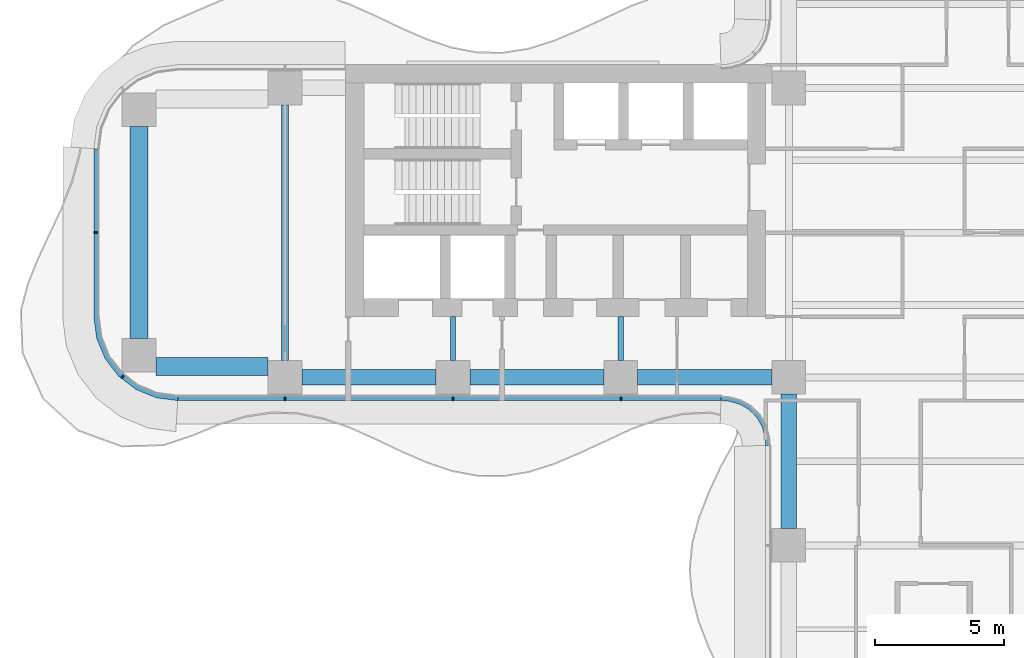
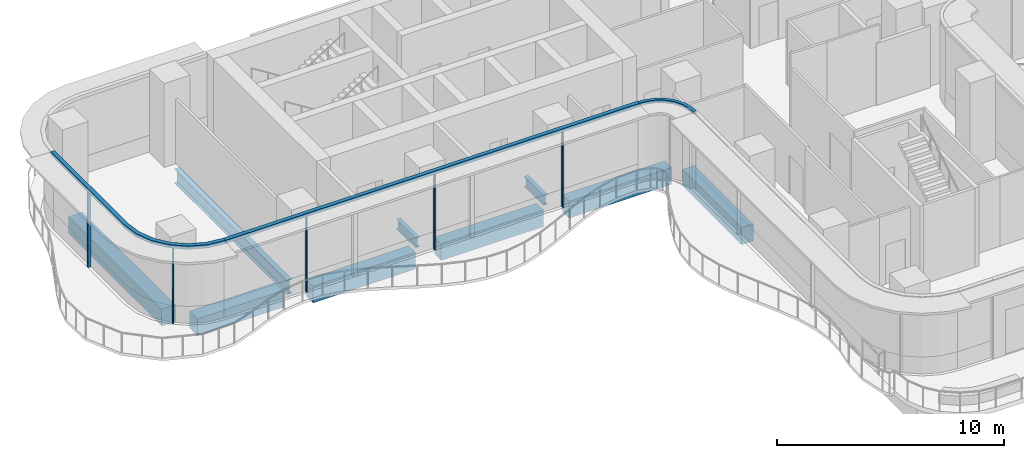
# One storey, part 3 of 22: 9 beams, 8 members, 3 elements without a shape of their own.
"""IFC4 building model written with IfcOpenShell, lengths in metres."""

from ifc_helpers import new_model, si_unit, direction, frame, origin, origin_2d, place, context, subcontext, project, spatial, polyline, rectangle, i_section, outline, extrude, source, transform, mapped, material, layer, layer_set, material_profile, profile_set, type_object, element, aggregate, save


model = new_model("IFC4")

# Units and contexts
model_context = context("Model", 3, precision=1e-05, world=origin(), true_north=direction((0.0, 1.0)))
body_context = subcontext(model_context, "Body", "Model", "MODEL_VIEW")
ifc_project = project(units=[si_unit("LENGTHUNIT", "METRE"), si_unit("AREAUNIT", "SQUARE_METRE"), si_unit("VOLUMEUNIT", "CUBIC_METRE"), si_unit("PLANEANGLEUNIT", "RADIAN"), si_unit("MASSUNIT", "GRAM", prefix="KILO")], contexts=[model_context])

# Site, building, storey
site_placement = place(None, origin())
site = spatial("IfcSite", under=ifc_project, at=site_placement, CompositionType="ELEMENT")
building_placement = place(site_placement, origin())
building = spatial("IfcBuilding", under=site, at=building_placement, Name="Trellis Farm Tower", CompositionType="ELEMENT")
storey_placement = place(building_placement, frame((0.0, 0.0, 124.5)))
storey = spatial("IfcBuildingStorey", under=building, at=storey_placement, Name="L26", CompositionType="ELEMENT", Elevation=124.5)

# Beams
ifc_material_1 = material(Name="Steel S355", Category="steel")
ifc_material_profile_1 = material_profile(ifc_material_1, i_section(OverallWidth=0.2666015625, OverallDepth=0.76220703125, WebThickness=0.014404296875, FlangeThickness=0.021484375, FilletRadius=0.0166015625, at=origin_2d()), Name="UB 762x267x173")
ifc_profile_set_1 = profile_set([ifc_material_profile_1], Name="Steel S355")
beam_type_1 = type_object("IfcBeamType", Name="UB 762x267x173", PredefinedType="BEAM", material=ifc_profile_set_1)
shared_shape_1 = source(origin(), body_context, "Body", "SweptSolid", [
    extrude(i_section(OverallWidth=0.2666015625, OverallDepth=0.76220703125, WebThickness=0.014404296875, FlangeThickness=0.021484375, FilletRadius=0.0166015625, at=origin_2d()), origin(), (0.0, 0.0, 1.0), 9.89990234375),
])
beam_1_placement = place(storey_placement, frame((-25.10009765625, -4.949951171875, -0.631103515625), z_axis=(0.0, 1.0, 0.0), x_axis=(-1.0, 0.0, 0.0)))
element("IfcBeam", 1, at=beam_1_placement, inside=storey, type_object=beam_type_1, Name="Girder", PredefinedType="BEAM", context=body_context, shape_type="MappedRepresentation", body=[
    mapped(shared_shape_1, transform((0.0, 0.0, 0.0))),
])
ifc_material_profile_2 = material_profile(ifc_material_1, i_section(OverallWidth=0.209228515625, OverallDepth=0.533203125, WebThickness=0.010009765625, FlangeThickness=0.015625, FilletRadius=0.0126953125, at=origin_2d()), Name="UB 533x210x92")
ifc_profile_set_2 = profile_set([ifc_material_profile_2], Name="Steel S355")
beam_type_2 = type_object("IfcBeamType", Name="UB 533x210x92", PredefinedType="BEAM", material=ifc_profile_set_2)
shared_shape_2 = source(origin(), body_context, "Body", "SweptSolid", [
    extrude(i_section(OverallWidth=0.209228515625, OverallDepth=0.533203125, WebThickness=0.010009765625, FlangeThickness=0.015625, FilletRadius=0.0126953125, at=origin_2d()), origin(), (0.0, 0.0, 1.0), 1.699951171875),
])
for number, where, z_axis, x_axis, name in (
    (2, (-18.60009765625, -4.949951171875, -0.5166015625), (0.0, 1.0, 0.0), (-1.0, 0.0, 0.0), "Girder"),
    (3, (-12.10009765625, -4.949951171875, -0.5166015625), (0.0, 1.0, 0.0), (-1.0, 0.0, 0.0), "Girder"),
):
    element("IfcBeam", number, at=place(storey_placement, frame(where, z_axis=z_axis, x_axis=x_axis)), inside=storey, type_object=beam_type_2, Name=name, PredefinedType="BEAM", context=body_context, shape_type="MappedRepresentation", body=[
        mapped(shared_shape_2, transform((0.0, 0.0, 0.0))),
    ])
ifc_material_2 = material(Name="Concrete C60/75", Category="concrete")
ifc_material_profile_3 = material_profile(ifc_material_2, rectangle(XDim=0.60009765625, YDim=0.89990234375, at=origin_2d()), Name="RC spandrel beam 600x900 C60/75")
ifc_profile_set_3 = profile_set([ifc_material_profile_3], Name="Concrete C60/75")
beam_type_3 = type_object("IfcBeamType", Name="RC spandrel beam 600x900 C60/75", PredefinedType="SPANDREL", material=ifc_profile_set_3)
shared_shape_3 = source(origin(), body_context, "Body", "SweptSolid", [
    extrude(rectangle(XDim=0.60009765625, YDim=0.89990234375, at=origin_2d()), origin(), (0.0, 0.0, 1.0), 5.199951171875),
])
for number, where, z_axis, x_axis, name in (
    (4, (-24.449951171875, -5.60009765625, -0.699951171875), (1.0, 0.0, 0.0), (0.0, 1.0, 0.0), "Girder"),
    (5, (-17.949951171875, -5.60009765625, -0.699951171875), (1.0, 0.0, 0.0), (0.0, 1.0, 0.0), "Girder"),
    (6, (-11.449951171875, -5.60009765625, -0.699951171875), (1.0, 0.0, 0.0), (0.0, 1.0, 0.0), "Girder"),
    (7, (-5.60009765625, -11.449951171875, -0.699951171875), (0.0, 1.0, 0.0), (-1.0, 0.0, 0.0), "Girder"),
):
    element("IfcBeam", number, at=place(storey_placement, frame(where, z_axis=z_axis, x_axis=x_axis)), inside=storey, type_object=beam_type_3, Name=name, PredefinedType="SPANDREL", context=body_context, shape_type="MappedRepresentation", body=[
        mapped(shared_shape_3, transform((0.0, 0.0, 0.0))),
    ])
ifc_material_profile_4 = material_profile(ifc_material_2, rectangle(XDim=0.699951171875, YDim=0.89990234375, at=origin_2d()), Name="RC spandrel beam 700x900 C60/75")
ifc_profile_set_4 = profile_set([ifc_material_profile_4], Name="Concrete C60/75")
beam_type_4 = type_object("IfcBeamType", Name="RC spandrel beam 700x900 C60/75", PredefinedType="SPANDREL", material=ifc_profile_set_4)
shared_shape_4 = source(origin(), body_context, "Body", "SweptSolid", [
    extrude(rectangle(XDim=0.699951171875, YDim=0.89990234375, at=origin_2d()), origin(), (0.0, 0.0, 1.0), 4.35009765625),
])
beam_2_placement = place(storey_placement, frame((-30.10009765625, -5.175048828125, -0.699951171875), z_axis=(1.0, 0.0, 0.0), x_axis=(0.0, 1.0, 0.0)))
element("IfcBeam", 8, at=beam_2_placement, inside=storey, type_object=beam_type_4, Name="Girder", PredefinedType="SPANDREL", context=body_context, shape_type="MappedRepresentation", body=[
    mapped(shared_shape_4, transform((0.0, 0.0, 0.0))),
])
shared_shape_5 = source(origin(), body_context, "Body", "SweptSolid", [
    extrude(rectangle(XDim=0.699951171875, YDim=0.89990234375, at=origin_2d()), origin(), (0.0, 0.0, 1.0), 8.2001953125),
])
beam_3_placement = place(storey_placement, frame((-30.75, -4.10009765625, -0.699951171875), z_axis=(0.0, 1.0, 0.0), x_axis=(-1.0, 0.0, 0.0)))
element("IfcBeam", 9, at=beam_3_placement, inside=storey, type_object=beam_type_4, Name="Girder", PredefinedType="SPANDREL", context=body_context, shape_type="MappedRepresentation", body=[
    mapped(shared_shape_5, transform((0.0, 0.0, 0.0))),
])

# Curtain wall, members
ifc_material_3 = material(Name="Aluminium and glass curtain wall", Category="aluminium")
ifc_layer_1 = layer(ifc_material_3, 0.18994140625)
ifc_layer_set_1 = layer_set([ifc_layer_1], Name="RIBBON CURTAIN WALL CW1")
curtain_wall_type_1 = type_object("IfcCurtainWallType", Name="RIBBON CURTAIN WALL CW1", PredefinedType="NOTDEFINED", material=ifc_layer_set_1)
placement_1 = place(storey_placement, origin())
curtain_wall_1 = element("IfcCurtainWall", 10, at=placement_1, inside=storey, type_object=curtain_wall_type_1, Name="CW1 001", PredefinedType="NOTDEFINED")
ifc_material_4 = material(Name="Aluminium extrusion 6063-T6", Category="aluminium")
ifc_material_profile_5 = material_profile(ifc_material_4, rectangle(XDim=0.06005859375, YDim=0.14990234375, at=origin_2d()), Name="MULLION 60x150")
ifc_profile_set_5 = profile_set([ifc_material_profile_5], Name="Aluminium extrusion 6063-T6")
member_type_1 = type_object("IfcMemberType", Name="CW1 MULLION 60x150", PredefinedType="MULLION", material=ifc_profile_set_5)
shared_shape_6 = source(origin(), body_context, "Body", "SweptSolid", [
    extrude(rectangle(XDim=0.06005859375, YDim=0.14990234375, at=origin_2d()), origin(), (0.0, 0.0, 1.0), 4.070068359375),
])
member_1_placement = place(storey_placement, frame((-25.10009765625, -6.425048828125, 0.0), z_axis=(0.0, 0.0, 1.0), x_axis=(1.0, 0.0, 0.0)))
member_1 = element("IfcMember", 11, at=member_1_placement, type_object=member_type_1, Name="MU1 001-01", PredefinedType="MULLION", context=body_context, shape_type="MappedRepresentation", body=[
    mapped(shared_shape_6, transform((0.0, 0.0, 0.0))),
])
member_2_placement = place(storey_placement, frame((-18.60009765625, -6.425048828125, 0.0), z_axis=(0.0, 0.0, 1.0), x_axis=(1.0, 0.0, 0.0)))
member_2 = element("IfcMember", 12, at=member_2_placement, type_object=member_type_1, Name="MU1 001-02", PredefinedType="MULLION", context=body_context, shape_type="MappedRepresentation", body=[
    mapped(shared_shape_6, transform((0.0, 0.0, 0.0))),
])
member_3_placement = place(storey_placement, frame((-12.10009765625, -6.425048828125, 0.0), z_axis=(0.0, 0.0, 1.0), x_axis=(1.0, 0.0, 0.0)))
member_3 = element("IfcMember", 13, at=member_3_placement, type_object=member_type_1, Name="MU1 001-03", PredefinedType="MULLION", context=body_context, shape_type="MappedRepresentation", body=[
    mapped(shared_shape_6, transform((0.0, 0.0, 0.0))),
])

curtain_wall_2 = element("IfcCurtainWall", 14, at=placement_1, inside=storey, type_object=curtain_wall_type_1, Name="CW1 014", PredefinedType="NOTDEFINED")
member_4_placement = place(storey_placement, frame((-32.425048828125, 0.0, 0.0), z_axis=(0.0, 0.0, 1.0), x_axis=(0.0, -1.0, 0.0)))
member_4 = element("IfcMember", 15, at=member_4_placement, type_object=member_type_1, Name="MU1 014-01", PredefinedType="MULLION", context=body_context, shape_type="MappedRepresentation", body=[
    mapped(shared_shape_6, transform((0.0, 0.0, 0.0))),
])
member_5_placement = place(storey_placement, frame((-31.385498046875, -5.578369140625, 0.0), z_axis=(0.0, 0.0, 1.0), x_axis=(0.793353340291, -0.608761429009, 0.0)))
member_5 = element("IfcMember", 16, at=member_5_placement, type_object=member_type_1, Name="MU1 014-02", PredefinedType="MULLION", context=body_context, shape_type="MappedRepresentation", body=[
    mapped(shared_shape_6, transform((0.0, 0.0, 0.0))),
])

# Member
ifc_layer_2 = layer(ifc_material_4, 0.199951171875)
ifc_layer_set_2 = layer_set([ifc_layer_2], Name="Aluminium extrusion 6063-T6")
member_type_2 = type_object("IfcMemberType", Name="CW1 TRANSOM 200x180", PredefinedType="USERDEFINED", material=ifc_layer_set_2)
shared_shape_7 = source(origin(), body_context, "Body", "SweptSolid", [
    extrude(outline(polyline([(-29.25, -6.5), (-8.2314453125, -6.5), (-8.224853515625, -6.300048828125), (-29.23681640625, -6.300048828125), (-29.25, -6.5)])), origin(), (0.0, 0.0, 1.0), 0.179931640625),
])
placement_2 = place(storey_placement, frame((0.0, 0.0, 4.070068359375)))
member_6 = element("IfcMember", 17, at=placement_2, type_object=member_type_2, Name="TR1 001", ObjectType="TRANSOM", PredefinedType="USERDEFINED", context=body_context, shape_type="MappedRepresentation", body=[
    mapped(shared_shape_7, transform((0.0, 0.0, 0.0))),
])

aggregate(curtain_wall_1, [member_1, member_2, member_3, member_6])

# Curtain wall, member
ifc_layer_3 = layer(ifc_material_3, 0.166015625)
ifc_layer_set_3 = layer_set([ifc_layer_3], Name="WINTER GARDEN CURTAIN WALL CW3")
curtain_wall_type_2 = type_object("IfcCurtainWallType", Name="WINTER GARDEN CURTAIN WALL CW3", PredefinedType="NOTDEFINED", material=ifc_layer_set_3)
curtain_wall_3 = element("IfcCurtainWall", 18, at=placement_1, inside=storey, type_object=curtain_wall_type_2, Name="CW3 001", PredefinedType="NOTDEFINED")
ifc_layer_4 = layer(ifc_material_4, 0.169921875)
ifc_layer_set_4 = layer_set([ifc_layer_4], Name="Aluminium extrusion 6063-T6")
member_type_3 = type_object("IfcMemberType", Name="CW3 TRANSOM 170x150", PredefinedType="USERDEFINED", material=ifc_layer_set_4)
shared_shape_8 = source(origin(), body_context, "Body", "SweptSolid", [
    extrude(outline(polyline([(-8.2314453125, -6.5), (-8.01953125, -6.513916015625), (-7.91552734375, -6.527587890625), (-7.508544921875, -6.63671875), (-7.144287109375, -6.846923828125), (-6.846923828125, -7.144287109375), (-6.63671875, -7.508544921875), (-6.527587890625, -7.91552734375), (-6.513916015625, -8.01953125), (-6.5, -8.2314453125), (-6.330078125, -8.225830078125), (-6.3447265625, -8.0029296875), (-6.360595703125, -7.88232421875), (-6.478271484375, -7.44287109375), (-6.7109375, -7.0400390625), (-7.0400390625, -6.7109375), (-7.44287109375, -6.478271484375), (-7.88232421875, -6.360595703125), (-8.0029296875, -6.3447265625), (-8.225830078125, -6.330078125), (-8.2314453125, -6.5)])), origin(), (0.0, 0.0, 1.0), 0.14990234375),
])
member_7_placement = place(storey_placement, frame((0.0, 0.0, 4.10009765625)))
member_7 = element("IfcMember", 19, at=member_7_placement, type_object=member_type_3, Name="TR3 001", ObjectType="TRANSOM", PredefinedType="USERDEFINED", context=body_context, shape_type="MappedRepresentation", body=[
    mapped(shared_shape_8, transform((0.0, 0.0, 0.0))),
])
aggregate(curtain_wall_3, [member_7])

# Member
shared_shape_9 = source(origin(), body_context, "Body", "SweptSolid", [
    extrude(outline(polyline([(-32.5, 3.25), (-32.5, -3.25), (-32.38916015625, -4.091064453125), (-32.064697265625, -4.875), (-31.548095703125, -5.548095703125), (-30.875, -6.064697265625), (-30.091064453125, -6.38916015625), (-29.25, -6.5), (-29.23681640625, -6.300048828125), (-30.0390625, -6.1943359375), (-30.774169921875, -5.889892578125), (-31.405517578125, -5.405517578125), (-31.889892578125, -4.774169921875), (-32.1943359375, -4.0390625), (-32.300048828125, -3.23681640625), (-32.300048828125, 3.23681640625), (-32.5, 3.25)])), origin(), (0.0, 0.0, 1.0), 0.179931640625),
])
member_8 = element("IfcMember", 20, at=placement_2, type_object=member_type_2, Name="TR1 014", ObjectType="TRANSOM", PredefinedType="USERDEFINED", context=body_context, shape_type="MappedRepresentation", body=[
    mapped(shared_shape_9, transform((0.0, 0.0, 0.0))),
])

aggregate(curtain_wall_2, [member_4, member_5, member_8])

save(model, "model.ifc")
